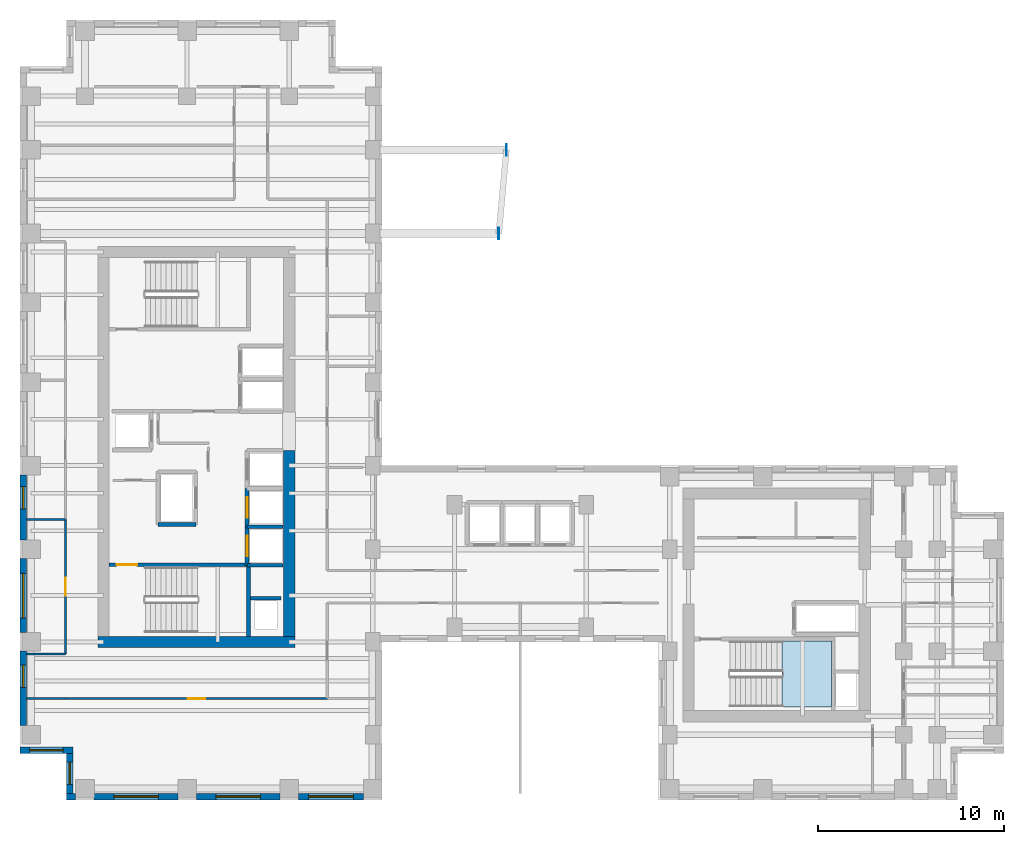
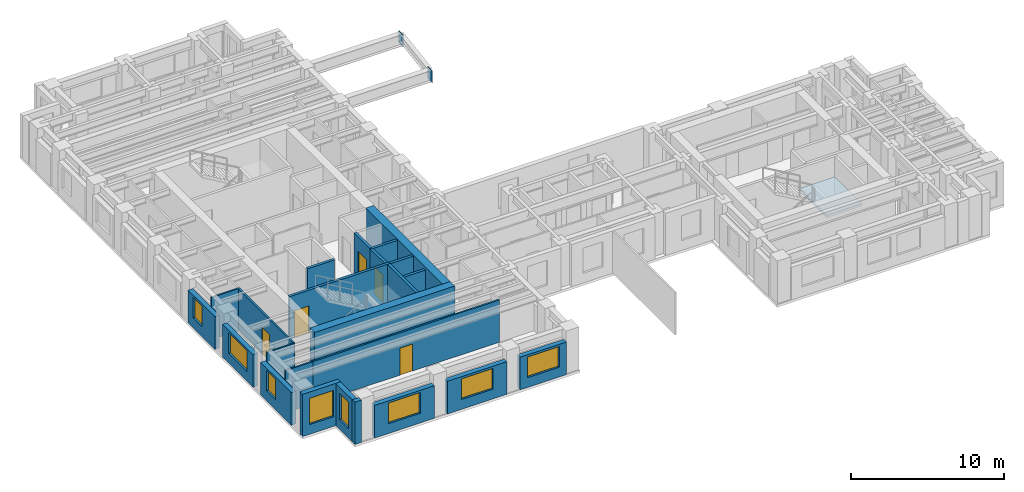
# One storey, part 5 of 13: 24 walls, 8 windows, 5 doors, 2 plates, 1 slab, 13 openings, 1 element without a shape of its own.
"""IFC4 building model written with IfcOpenShell, lengths in metres."""

from ifc_helpers import new_model, si_unit, direction, frame, frame_2d, origin, origin_2d, place, context, subcontext, project, spatial, polyline, rectangle, outline, extrude, source, transform, mapped, material, layer, layer_set, type_object, element, fill, aggregate, save


model = new_model("IFC4")

# Units and contexts
model_context = context("Model", 3, precision=1e-05, world=origin(), true_north=direction((0.0, 1.0)))
body_context = subcontext(model_context, "Body", "Model", "MODEL_VIEW")
ifc_project = project(units=[si_unit("LENGTHUNIT", "METRE"), si_unit("AREAUNIT", "SQUARE_METRE"), si_unit("VOLUMEUNIT", "CUBIC_METRE"), si_unit("PLANEANGLEUNIT", "RADIAN"), si_unit("MASSUNIT", "GRAM", prefix="KILO")], contexts=[model_context])

# Site, building, storey
site_placement = place(None, origin())
site = spatial("IfcSite", under=ifc_project, at=site_placement, CompositionType="ELEMENT")
building_placement = place(site_placement, origin())
building = spatial("IfcBuilding", under=site, at=building_placement, Name="Kharzan Plaza Tower", CompositionType="ELEMENT")
storey_placement = place(building_placement, frame((0.0, 0.0, 197.10009765625)))
storey = spatial("IfcBuildingStorey", under=building, at=storey_placement, Name="L53", CompositionType="ELEMENT", Elevation=197.10009765625)

# Stair, slab
ifc_material_1 = material(Name="Concrete C40/50", Category="concrete")
stair_type = type_object("IfcStairType", Name="STR-ST-3", PredefinedType="HALF_TURN_STAIR", material=ifc_material_1)
stair_placement = place(storey_placement, origin())
stair = element("IfcStair", 1, at=stair_placement, inside=storey, type_object=stair_type, Name="L53 Protected Exit Stair ST-3", PredefinedType="HALF_TURN_STAIR")
ifc_layer_1 = layer(ifc_material_1, 0.219970703125)
ifc_layer_set_1 = layer_set([ifc_layer_1], Name="Concrete C40/50")
slab_type = type_object("IfcSlabType", Name="SL-LANDING-220", PredefinedType="LANDING", material=ifc_layer_set_1)
slab_placement = place(storey_placement, frame((0.0, 0.0, 1.599853515625)))
slab = element("IfcSlab", 2, at=slab_placement, type_object=slab_type, Name="ST-3 landing 1", PredefinedType="LANDING", context=body_context, shape_type="SweptSolid", body=[
    extrude(outline(polyline([(41.050048828125, 5.0), (43.699951171875, 5.0), (43.699951171875, 8.550048828125), (41.050048828125, 8.550048828125), (41.050048828125, 5.0)])), origin(), (0.0, 0.0, 1.0), 0.199951171875),
])
aggregate(stair, [slab])

# Plates
ifc_material_2 = material(Name="Steel S460", Category="steel")
ifc_layer_2 = layer(ifc_material_2, 0.0419921875)
ifc_layer_set_2 = layer_set([ifc_layer_2], Name="Steel S460")
plate_type = type_object("IfcPlateType", Name="PLT-ZTN1", PredefinedType="USERDEFINED", material=ifc_layer_set_2)
shared_shape_1 = source(origin(), body_context, "Body", "SweptSolid", [
    extrude(rectangle(XDim=0.60009765625, YDim=0.0419921875, at=origin_2d()), origin(), (0.0, 0.0, 1.0), 0.949951171875),
])
for number, where, z_axis, x_axis, name in (
    (3, (25.7900390625, 30.5, 2.44140625), (0.0, 0.0, 1.0), (0.0, 1.0, 0.0), "L53 Sky-Terrace Cantilever Tip Plate ZTN1"),
    (4, (26.199951171875, 35.0, 2.44140625), (0.0, 0.0, 1.0), (0.0, 1.0, 0.0), "L53 Sky-Terrace Cantilever Tip Plate ZTN1"),
):
    element("IfcPlate", number, at=place(storey_placement, frame(where, z_axis=z_axis, x_axis=x_axis)), inside=storey, type_object=plate_type, Name=name, ObjectType="FLANGE_PLATE", PredefinedType="USERDEFINED", context=body_context, shape_type="MappedRepresentation", body=[
        mapped(shared_shape_1, transform((0.0, 0.0, 0.0), x_axis=(1.0, 0.0, 0.0), y_axis=(0.0, 1.0, 0.0), z_axis=(0.0, 0.0, 1.0))),
    ])

# Wall, opening, window
ifc_layer_3 = layer(ifc_material_1, 0.35009765625)
ifc_layer_set_3 = layer_set([ifc_layer_3], Name="Concrete C40/50")
wall_type_1 = type_object("IfcWallType", Name="WL-EXT-MAS-Z3", PredefinedType="SOLIDWALL", material=ifc_layer_set_3)
wall_1_placement = place(storey_placement, frame((0.175048828125, 17.501953125, 0.0), z_axis=(0.0, 0.0, 1.0), x_axis=(0.0, -1.0, 0.0)))
wall_1 = element("IfcWall", 5, at=wall_1_placement, inside=storey, type_object=wall_type_1, Name="L53 Masonry-Frame Exterior Wall 15", PredefinedType="SOLIDWALL", context=body_context, shape_type="SweptSolid", body=[
    extrude(rectangle(XDim=3.50390625, YDim=0.35009765625, at=frame_2d((1.751953125, 0.0))), origin(), (0.0, 0.0, 1.0), 2.61181640625),
])
opening_1_placement = place(wall_1_placement, frame((0.635986328125, 0.0, 0.780029296875)))
opening_1 = element("IfcOpeningElement", 6, at=opening_1_placement, cuts=wall_1, Name="Opening W3", PredefinedType="OPENING", context=body_context, shape_type="SweptSolid", body=[
    extrude(rectangle(XDim=1.199951171875, YDim=1.652099609375, at=frame_2d((0.60009765625, 0.826171875))), frame((0.0, 0.18505859375, 0.0), z_axis=(0.0, -1.0, 0.0), x_axis=(1.0, 0.0, 0.0)), (0.0, 0.0, 1.0), 0.3701171875),
])
ifc_material_3 = material(Name="Low-E Double Glazing", Category="glass")
window_type_1 = type_object("IfcWindowType", Name="WN-REC-1200x2100", PartitioningType="SINGLE_PANEL", PredefinedType="WINDOW", material=ifc_material_3)
shared_shape_2 = source(origin(), body_context, "Body", "SweptSolid", [
    extrude(rectangle(XDim=1.199951171875, YDim=1.652099609375, at=frame_2d((0.60009765625, 0.826171875))), frame((0.0, 0.030029296875, 0.0), z_axis=(0.0, -1.0, 0.0), x_axis=(1.0, 0.0, 0.0)), (0.0, 0.0, 1.0), 0.06005859375),
])
window_1_placement = place(opening_1_placement, origin())
window_1 = element("IfcWindow", 7, at=window_1_placement, inside=storey, type_object=window_type_1, Name="L53 Recessed Solar-Control Window 15-1", OverallHeight=1.652099609375, OverallWidth=1.199951171875, PartitioningType="SINGLE_PANEL", PredefinedType="WINDOW", context=body_context, shape_type="MappedRepresentation", body=[
    mapped(shared_shape_2, transform((0.0, 0.0, 0.0), x_axis=(1.0, 0.0, 0.0), y_axis=(0.0, 1.0, 0.0), z_axis=(0.0, 0.0, 1.0))),
])
fill(opening_1, window_1)

wall_2_placement = place(storey_placement, frame((0.175048828125, 13.001953125, 0.0), z_axis=(0.0, 0.0, 1.0), x_axis=(0.0, -1.0, 0.0)))
wall_2 = element("IfcWall", 8, at=wall_2_placement, inside=storey, type_object=wall_type_1, Name="L53 Masonry-Frame Exterior Wall 16", PredefinedType="SOLIDWALL", context=body_context, shape_type="SweptSolid", body=[
    extrude(rectangle(XDim=4.00390625, YDim=0.35009765625, at=frame_2d((2.001953125, 0.0))), origin(), (0.0, 0.0, 1.0), 2.61181640625),
])
opening_2_placement = place(wall_2_placement, frame((0.802001953125, 0.0, 0.780029296875)))
opening_2 = element("IfcOpeningElement", 9, at=opening_2_placement, cuts=wall_2, Name="Opening W2", PredefinedType="OPENING", context=body_context, shape_type="SweptSolid", body=[
    extrude(rectangle(XDim=2.39990234375, YDim=1.652099609375, at=frame_2d((1.199951171875, 0.826171875))), frame((0.0, 0.18505859375, 0.0), z_axis=(0.0, -1.0, 0.0), x_axis=(1.0, 0.0, 0.0)), (0.0, 0.0, 1.0), 0.3701171875),
])
window_type_2 = type_object("IfcWindowType", Name="WN-REC-2400x2100", PartitioningType="SINGLE_PANEL", PredefinedType="WINDOW", material=ifc_material_3)
shared_shape_3 = source(origin(), body_context, "Body", "SweptSolid", [
    extrude(rectangle(XDim=2.39990234375, YDim=1.652099609375, at=frame_2d((1.199951171875, 0.826171875))), frame((0.0, 0.030029296875, 0.0), z_axis=(0.0, -1.0, 0.0), x_axis=(1.0, 0.0, 0.0)), (0.0, 0.0, 1.0), 0.06005859375),
])
window_2_placement = place(opening_2_placement, origin())
window_2 = element("IfcWindow", 10, at=window_2_placement, inside=storey, type_object=window_type_2, Name="L53 Wide Recessed Solar-Control Window 16-1", OverallHeight=1.652099609375, OverallWidth=2.39990234375, PartitioningType="SINGLE_PANEL", PredefinedType="WINDOW", context=body_context, shape_type="MappedRepresentation", body=[
    mapped(shared_shape_3, transform((0.0, 0.0, 0.0), x_axis=(1.0, 0.0, 0.0), y_axis=(0.0, 1.0, 0.0), z_axis=(0.0, 0.0, 1.0))),
])
fill(opening_2, window_2)

wall_3_placement = place(storey_placement, frame((0.175048828125, 8.001953125, 0.0), z_axis=(0.0, 0.0, 1.0), x_axis=(0.0, -1.0, 0.0)))
wall_3 = element("IfcWall", 11, at=wall_3_placement, inside=storey, type_object=wall_type_1, Name="L53 Masonry-Frame Exterior Wall 17", PredefinedType="SOLIDWALL", context=body_context, shape_type="SweptSolid", body=[
    extrude(rectangle(XDim=4.00390625, YDim=0.35009765625, at=frame_2d((2.001953125, 0.0))), origin(), (0.0, 0.0, 1.0), 2.61181640625),
])
opening_3_placement = place(wall_3_placement, frame((0.751953125, 0.0, 0.780029296875)))
opening_3 = element("IfcOpeningElement", 12, at=opening_3_placement, cuts=wall_3, Name="Opening W3", PredefinedType="OPENING", context=body_context, shape_type="SweptSolid", body=[
    extrude(rectangle(XDim=1.199951171875, YDim=1.652099609375, at=frame_2d((0.60009765625, 0.826171875))), frame((0.0, 0.18505859375, 0.0), z_axis=(0.0, -1.0, 0.0), x_axis=(1.0, 0.0, 0.0)), (0.0, 0.0, 1.0), 0.3701171875),
])
window_3_placement = place(opening_3_placement, origin())
window_3 = element("IfcWindow", 13, at=window_3_placement, inside=storey, type_object=window_type_1, Name="L53 Recessed Solar-Control Window 17-1", OverallHeight=1.652099609375, OverallWidth=1.199951171875, PartitioningType="SINGLE_PANEL", PredefinedType="WINDOW", context=body_context, shape_type="MappedRepresentation", body=[
    mapped(shared_shape_2, transform((0.0, 0.0, 0.0), x_axis=(1.0, 0.0, 0.0), y_axis=(0.0, 1.0, 0.0), z_axis=(0.0, 0.0, 1.0))),
])
fill(opening_3, window_3)

wall_4_placement = place(storey_placement, frame((0.0, 2.675048828125, 0.0), z_axis=(0.0, 0.0, 1.0), x_axis=(1.0, 0.0, 0.0)))
wall_4 = element("IfcWall", 14, at=wall_4_placement, inside=storey, type_object=wall_type_1, Name="L53 Masonry-Frame Exterior Wall 18", PredefinedType="SOLIDWALL", context=body_context, shape_type="SweptSolid", body=[
    extrude(rectangle(XDim=2.85009765625, YDim=0.35009765625, at=frame_2d((1.425048828125, 0.0))), origin(), (0.0, 0.0, 1.0), 3.385009765625),
])
opening_4_placement = place(wall_4_placement, frame((0.52490234375, 0.0, 0.780029296875)))
opening_4 = element("IfcOpeningElement", 15, at=opening_4_placement, cuts=wall_4, Name="Opening W1", PredefinedType="OPENING", context=body_context, shape_type="SweptSolid", body=[
    extrude(rectangle(XDim=1.800048828125, YDim=2.10009765625, at=frame_2d((0.89990234375, 1.050048828125))), frame((0.0, 0.18505859375, 0.0), z_axis=(0.0, -1.0, 0.0), x_axis=(1.0, 0.0, 0.0)), (0.0, 0.0, 1.0), 0.3701171875),
])
window_type_3 = type_object("IfcWindowType", Name="WN-REC-1800x2100", PartitioningType="SINGLE_PANEL", PredefinedType="WINDOW", material=ifc_material_3)
shared_shape_4 = source(origin(), body_context, "Body", "SweptSolid", [
    extrude(rectangle(XDim=1.800048828125, YDim=2.10009765625, at=frame_2d((0.89990234375, 1.050048828125))), frame((0.0, 0.030029296875, 0.0), z_axis=(0.0, -1.0, 0.0), x_axis=(1.0, 0.0, 0.0)), (0.0, 0.0, 1.0), 0.06005859375),
])
window_4_placement = place(opening_4_placement, origin())
window_4 = element("IfcWindow", 16, at=window_4_placement, inside=storey, type_object=window_type_3, Name="L53 Recessed Solar-Control Window 18-1", OverallHeight=2.10009765625, OverallWidth=1.800048828125, PartitioningType="SINGLE_PANEL", PredefinedType="WINDOW", context=body_context, shape_type="MappedRepresentation", body=[
    mapped(shared_shape_4, transform((0.0, 0.0, 0.0), x_axis=(1.0, 0.0, 0.0), y_axis=(0.0, 1.0, 0.0), z_axis=(0.0, 0.0, 1.0))),
])
fill(opening_4, window_4)

wall_5_placement = place(storey_placement, frame((2.675048828125, 2.501953125, 0.0), z_axis=(0.0, 0.0, 1.0), x_axis=(0.0, -1.0, 0.0)))
wall_5 = element("IfcWall", 17, at=wall_5_placement, inside=storey, type_object=wall_type_1, Name="L53 Masonry-Frame Exterior Wall 19", PredefinedType="SOLIDWALL", context=body_context, shape_type="SweptSolid", body=[
    extrude(rectangle(XDim=2.154052734375, YDim=0.35009765625, at=frame_2d((1.0771484375, 0.0))), origin(), (0.0, 0.0, 1.0), 3.385009765625),
])
opening_5_placement = place(wall_5_placement, frame((0.47705078125, 0.0, 0.780029296875)))
opening_5 = element("IfcOpeningElement", 18, at=opening_5_placement, cuts=wall_5, Name="Opening W3", PredefinedType="OPENING", context=body_context, shape_type="SweptSolid", body=[
    extrude(rectangle(XDim=1.199951171875, YDim=2.10009765625, at=frame_2d((0.60009765625, 1.050048828125))), frame((0.0, 0.18505859375, 0.0), z_axis=(0.0, -1.0, 0.0), x_axis=(1.0, 0.0, 0.0)), (0.0, 0.0, 1.0), 0.3701171875),
])
shared_shape_5 = source(origin(), body_context, "Body", "SweptSolid", [
    extrude(rectangle(XDim=1.199951171875, YDim=2.10009765625, at=frame_2d((0.60009765625, 1.050048828125))), frame((0.0, 0.030029296875, 0.0), z_axis=(0.0, -1.0, 0.0), x_axis=(1.0, 0.0, 0.0)), (0.0, 0.0, 1.0), 0.06005859375),
])
window_5_placement = place(opening_5_placement, origin())
window_5 = element("IfcWindow", 19, at=window_5_placement, inside=storey, type_object=window_type_1, Name="L53 Recessed Solar-Control Window 19-1", OverallHeight=2.10009765625, OverallWidth=1.199951171875, PartitioningType="SINGLE_PANEL", PredefinedType="WINDOW", context=body_context, shape_type="MappedRepresentation", body=[
    mapped(shared_shape_5, transform((0.0, 0.0, 0.0), x_axis=(1.0, 0.0, 0.0), y_axis=(0.0, 1.0, 0.0), z_axis=(0.0, 0.0, 1.0))),
])
fill(opening_5, window_5)

wall_6_placement = place(storey_placement, frame((3.998046875, 0.175048828125, 0.0), z_axis=(0.0, 0.0, 1.0), x_axis=(1.0, 0.0, 0.0)))
wall_6 = element("IfcWall", 20, at=wall_6_placement, inside=storey, type_object=wall_type_1, Name="L53 Masonry-Frame Exterior Wall 21", PredefinedType="SOLIDWALL", context=body_context, shape_type="SweptSolid", body=[
    extrude(rectangle(XDim=4.50390625, YDim=0.35009765625, at=frame_2d((2.251953125, 0.0))), origin(), (0.0, 0.0, 1.0), 2.61181640625),
])
opening_6_placement = place(wall_6_placement, frame((1.052001953125, 0.0, 0.780029296875)))
opening_6 = element("IfcOpeningElement", 21, at=opening_6_placement, cuts=wall_6, Name="Opening W2", PredefinedType="OPENING", context=body_context, shape_type="SweptSolid", body=[
    extrude(rectangle(XDim=2.39990234375, YDim=1.652099609375, at=frame_2d((1.199951171875, 0.826171875))), frame((0.0, 0.18505859375, 0.0), z_axis=(0.0, -1.0, 0.0), x_axis=(1.0, 0.0, 0.0)), (0.0, 0.0, 1.0), 0.3701171875),
])
window_6_placement = place(opening_6_placement, origin())
window_6 = element("IfcWindow", 22, at=window_6_placement, inside=storey, type_object=window_type_2, Name="L53 Wide Recessed Solar-Control Window 21-1", OverallHeight=1.652099609375, OverallWidth=2.39990234375, PartitioningType="SINGLE_PANEL", PredefinedType="WINDOW", context=body_context, shape_type="MappedRepresentation", body=[
    mapped(shared_shape_3, transform((0.0, 0.0, 0.0), x_axis=(1.0, 0.0, 0.0), y_axis=(0.0, 1.0, 0.0), z_axis=(0.0, 0.0, 1.0))),
])
fill(opening_6, window_6)

wall_7_placement = place(storey_placement, frame((9.498046875, 0.175048828125, 0.0), z_axis=(0.0, 0.0, 1.0), x_axis=(1.0, 0.0, 0.0)))
wall_7 = element("IfcWall", 23, at=wall_7_placement, inside=storey, type_object=wall_type_1, Name="L53 Masonry-Frame Exterior Wall 22", PredefinedType="SOLIDWALL", context=body_context, shape_type="SweptSolid", body=[
    extrude(rectangle(XDim=4.50390625, YDim=0.35009765625, at=frame_2d((2.251953125, 0.0))), origin(), (0.0, 0.0, 1.0), 2.61181640625),
])
opening_7_placement = place(wall_7_placement, frame((1.052001953125, 0.0, 0.780029296875)))
opening_7 = element("IfcOpeningElement", 24, at=opening_7_placement, cuts=wall_7, Name="Opening W2", PredefinedType="OPENING", context=body_context, shape_type="SweptSolid", body=[
    extrude(rectangle(XDim=2.39990234375, YDim=1.652099609375, at=frame_2d((1.199951171875, 0.826171875))), frame((0.0, 0.18505859375, 0.0), z_axis=(0.0, -1.0, 0.0), x_axis=(1.0, 0.0, 0.0)), (0.0, 0.0, 1.0), 0.3701171875),
])
window_7_placement = place(opening_7_placement, origin())
window_7 = element("IfcWindow", 25, at=window_7_placement, inside=storey, type_object=window_type_2, Name="L53 Wide Recessed Solar-Control Window 22-1", OverallHeight=1.652099609375, OverallWidth=2.39990234375, PartitioningType="SINGLE_PANEL", PredefinedType="WINDOW", context=body_context, shape_type="MappedRepresentation", body=[
    mapped(shared_shape_3, transform((0.0, 0.0, 0.0), x_axis=(1.0, 0.0, 0.0), y_axis=(0.0, 1.0, 0.0), z_axis=(0.0, 0.0, 1.0))),
])
fill(opening_7, window_7)

wall_8_placement = place(storey_placement, frame((14.998046875, 0.175048828125, 0.0), z_axis=(0.0, 0.0, 1.0), x_axis=(1.0, 0.0, 0.0)))
wall_8 = element("IfcWall", 26, at=wall_8_placement, inside=storey, type_object=wall_type_1, Name="L53 Masonry-Frame Exterior Wall 23", PredefinedType="SOLIDWALL", context=body_context, shape_type="SweptSolid", body=[
    extrude(rectangle(XDim=3.50390625, YDim=0.35009765625, at=frame_2d((1.751953125, 0.0))), origin(), (0.0, 0.0, 1.0), 2.61181640625),
])
opening_8_placement = place(wall_8_placement, frame((0.552001953125, 0.0, 0.780029296875)))
opening_8 = element("IfcOpeningElement", 27, at=opening_8_placement, cuts=wall_8, Name="Opening W2", PredefinedType="OPENING", context=body_context, shape_type="SweptSolid", body=[
    extrude(rectangle(XDim=2.39990234375, YDim=1.652099609375, at=frame_2d((1.199951171875, 0.826171875))), frame((0.0, 0.18505859375, 0.0), z_axis=(0.0, -1.0, 0.0), x_axis=(1.0, 0.0, 0.0)), (0.0, 0.0, 1.0), 0.3701171875),
])
window_8_placement = place(opening_8_placement, origin())
window_8 = element("IfcWindow", 28, at=window_8_placement, inside=storey, type_object=window_type_2, Name="L53 Wide Recessed Solar-Control Window 23-1", OverallHeight=1.652099609375, OverallWidth=2.39990234375, PartitioningType="SINGLE_PANEL", PredefinedType="WINDOW", context=body_context, shape_type="MappedRepresentation", body=[
    mapped(shared_shape_3, transform((0.0, 0.0, 0.0), x_axis=(1.0, 0.0, 0.0), y_axis=(0.0, 1.0, 0.0), z_axis=(0.0, 0.0, 1.0))),
])
fill(opening_8, window_8)

# Wall, opening, door
ifc_material_4 = material(Name="Fire-Rated Gypsum Board Partition", Category="gypsum")
ifc_layer_4 = layer(ifc_material_4, 0.125)
ifc_layer_set_4 = layer_set([ifc_layer_4], Name="Fire-Rated Gypsum Board Partition")
wall_type_2 = type_object("IfcWallType", Name="WL-INT-PART-125", PredefinedType="PARTITIONING", material=ifc_layer_set_4)
wall_9_placement = place(storey_placement, frame((2.449951171875, 5.449951171875, 0.0), z_axis=(0.0, 0.0, 1.0), x_axis=(1.0, 0.0, 0.0)))
wall_9 = element("IfcWall", 29, at=wall_9_placement, inside=storey, type_object=wall_type_2, Name="L53 Interior Partition SH-SS-1", PredefinedType="PARTITIONING", context=body_context, shape_type="SweptSolid", body=[
    extrude(rectangle(XDim=14.10009765625, YDim=0.125, at=frame_2d((7.050048828125, 0.0))), origin(), (0.0, 0.0, 1.0), 3.385009765625),
])
opening_9_placement = place(wall_9_placement, frame((6.574951171875, 0.0, 0.0)))
opening_9 = element("IfcOpeningElement", 30, at=opening_9_placement, cuts=wall_9, Name="Opening OD1", PredefinedType="OPENING", context=body_context, shape_type="SweptSolid", body=[
    extrude(rectangle(XDim=0.949951171875, YDim=2.14990234375, at=frame_2d((0.47509765625, 1.074951171875))), frame((0.0, 0.072509765625, 0.0), z_axis=(0.0, -1.0, 0.0), x_axis=(1.0, 0.0, 0.0)), (0.0, 0.0, 1.0), 0.14501953125),
])
ifc_material_5 = material(Name="Acoustic Solid-Core Stained Oak", Category="timber")
door_type_1 = type_object("IfcDoorType", Name="DR-OFF-SINGLE", OperationType="NOTDEFINED", PredefinedType="DOOR", material=ifc_material_5)
shared_shape_6 = source(origin(), body_context, "Body", "SweptSolid", [
    extrude(rectangle(XDim=0.949951171875, YDim=2.14990234375, at=frame_2d((0.47509765625, 1.074951171875))), frame((0.0, 0.02490234375, 0.0), z_axis=(0.0, -1.0, 0.0), x_axis=(1.0, 0.0, 0.0)), (0.0, 0.0, 1.0), 0.050048828125),
])
door_1_placement = place(opening_9_placement, origin())
door_1 = element("IfcDoor", 31, at=door_1_placement, inside=storey, type_object=door_type_1, Name="L53 Staff Tea Pantry Door", OperationType="SINGLE_SWING_LEFT", OverallHeight=2.14990234375, OverallWidth=0.949951171875, PredefinedType="DOOR", context=body_context, shape_type="MappedRepresentation", body=[
    mapped(shared_shape_6, transform((0.0, 0.0, 0.0), x_axis=(1.0, 0.0, 0.0), y_axis=(0.0, 1.0, 0.0), z_axis=(0.0, 0.0, 1.0))),
])
fill(opening_9, door_1)

wall_10_placement = place(storey_placement, frame((2.449951171875, 7.85009765625, 0.0), z_axis=(0.0, 0.0, 1.0), x_axis=(0.0, 1.0, 0.0)))
wall_10 = element("IfcWall", 32, at=wall_10_placement, inside=storey, type_object=wall_type_2, Name="L53 Interior Partition SH-WW-1", PredefinedType="PARTITIONING", context=body_context, shape_type="SweptSolid", body=[
    extrude(rectangle(XDim=7.25, YDim=0.125, at=frame_2d((3.625, 0.0))), origin(), (0.0, 0.0, 1.0), 3.385009765625),
])
opening_10_placement = place(wall_10_placement, frame((3.14990234375, 0.0, 0.0)))
opening_10 = element("IfcOpeningElement", 33, at=opening_10_placement, cuts=wall_10, Name="Opening OD1", PredefinedType="OPENING", context=body_context, shape_type="SweptSolid", body=[
    extrude(rectangle(XDim=0.949951171875, YDim=2.14990234375, at=frame_2d((0.47509765625, 1.074951171875))), frame((0.0, 0.072509765625, 0.0), z_axis=(0.0, -1.0, 0.0), x_axis=(1.0, 0.0, 0.0)), (0.0, 0.0, 1.0), 0.14501953125),
])
door_2_placement = place(opening_10_placement, origin())
door_2 = element("IfcDoor", 34, at=door_2_placement, inside=storey, type_object=door_type_1, Name="L53 Client Briefing Room Door", OperationType="SINGLE_SWING_RIGHT", OverallHeight=2.14990234375, OverallWidth=0.949951171875, PredefinedType="DOOR", context=body_context, shape_type="MappedRepresentation", body=[
    mapped(shared_shape_6, transform((0.0, 0.0, 0.0), x_axis=(1.0, 0.0, 0.0), y_axis=(0.0, 1.0, 0.0), z_axis=(0.0, 0.0, 1.0))),
])
fill(opening_10, door_2)

ifc_layer_5 = layer(ifc_material_1, 0.199951171875)
ifc_layer_set_5 = layer_set([ifc_layer_5], Name="Concrete C40/50")
wall_type_3 = type_object("IfcWallType", Name="WL-INT-SHAFT-200", PredefinedType="PARTITIONING", material=ifc_layer_set_5)
wall_11_placement = place(storey_placement, frame((12.22998046875, 12.6298828125, 0.0), z_axis=(0.0, 0.0, 1.0), x_axis=(0.0, 1.0, 0.0)))
wall_11 = element("IfcWall", 35, at=wall_11_placement, inside=storey, type_object=wall_type_3, Name="L53 Interior Partition SHF-PL-H1-W", PredefinedType="PARTITIONING", context=body_context, shape_type="SweptSolid", body=[
    extrude(rectangle(XDim=2.070068359375, YDim=0.199951171875, at=frame_2d((1.03515625, 0.0))), origin(), (0.0, 0.0, 1.0), 3.385009765625),
])
opening_11_placement = place(wall_11_placement, frame((0.485107421875, 0.0, 0.0)))
opening_11 = element("IfcOpeningElement", 36, at=opening_11_placement, cuts=wall_11, Name="Opening LD", PredefinedType="OPENING", context=body_context, shape_type="SweptSolid", body=[
    extrude(rectangle(XDim=1.10009765625, YDim=2.199951171875, at=frame_2d((0.550048828125, 1.10009765625))), frame((0.0, 0.10986328125, 0.0), z_axis=(0.0, -1.0, 0.0), x_axis=(1.0, 0.0, 0.0)), (0.0, 0.0, 1.0), 0.219970703125),
])
ifc_material_6 = material(Name="Brushed Stainless Steel", Category="steel")
door_type_2 = type_object("IfcDoorType", Name="DR-LIFT-SLIDE", OperationType="SLIDING_TO_LEFT", PredefinedType="DOOR", material=ifc_material_6)
shared_shape_7 = source(origin(), body_context, "Body", "SweptSolid", [
    extrude(rectangle(XDim=1.10009765625, YDim=2.199951171875, at=frame_2d((0.550048828125, 1.10009765625))), frame((0.0, 0.02490234375, 0.0), z_axis=(0.0, -1.0, 0.0), x_axis=(1.0, 0.0, 0.0)), (0.0, 0.0, 1.0), 0.050048828125),
])
door_3_placement = place(opening_11_placement, origin())
door_3 = element("IfcDoor", 37, at=door_3_placement, inside=storey, type_object=door_type_2, Name="L53 High-Rise Passenger Lift PL-H1 Sliding Landing Door", OperationType="SLIDING_TO_LEFT", OverallHeight=2.199951171875, OverallWidth=1.10009765625, PredefinedType="DOOR", context=body_context, shape_type="MappedRepresentation", body=[
    mapped(shared_shape_7, transform((0.0, 0.0, 0.0), x_axis=(1.0, 0.0, 0.0), y_axis=(0.0, 1.0, 0.0), z_axis=(0.0, 0.0, 1.0))),
])
fill(opening_11, door_3)

wall_12_placement = place(storey_placement, frame((12.22998046875, 14.699951171875, 0.0), z_axis=(0.0, 0.0, 1.0), x_axis=(0.0, 1.0, 0.0)))
wall_12 = element("IfcWall", 38, at=wall_12_placement, inside=storey, type_object=wall_type_3, Name="L53 Interior Partition SHF-PL-H2-W", PredefinedType="PARTITIONING", context=body_context, shape_type="SweptSolid", body=[
    extrude(rectangle(XDim=2.070068359375, YDim=0.199951171875, at=frame_2d((1.03515625, 0.0))), origin(), (0.0, 0.0, 1.0), 3.385009765625),
])
opening_12_placement = place(wall_12_placement, frame((0.485107421875, 0.0, 0.0)))
opening_12 = element("IfcOpeningElement", 39, at=opening_12_placement, cuts=wall_12, Name="Opening LD", PredefinedType="OPENING", context=body_context, shape_type="SweptSolid", body=[
    extrude(rectangle(XDim=1.10009765625, YDim=2.199951171875, at=frame_2d((0.550048828125, 1.10009765625))), frame((0.0, 0.10986328125, 0.0), z_axis=(0.0, -1.0, 0.0), x_axis=(1.0, 0.0, 0.0)), (0.0, 0.0, 1.0), 0.219970703125),
])
door_4_placement = place(opening_12_placement, origin())
door_4 = element("IfcDoor", 40, at=door_4_placement, inside=storey, type_object=door_type_2, Name="L53 High-Rise Passenger Lift PL-H2 Sliding Landing Door", OperationType="SLIDING_TO_LEFT", OverallHeight=2.199951171875, OverallWidth=1.10009765625, PredefinedType="DOOR", context=body_context, shape_type="MappedRepresentation", body=[
    mapped(shared_shape_7, transform((0.0, 0.0, 0.0), x_axis=(1.0, 0.0, 0.0), y_axis=(0.0, 1.0, 0.0), z_axis=(0.0, 0.0, 1.0))),
])
fill(opening_12, door_4)

ifc_material_7 = material(Name="Concrete C50/60", Category="concrete")
ifc_layer_6 = layer(ifc_material_7, 0.199951171875)
ifc_layer_set_6 = layer_set([ifc_layer_6], Name="Concrete C50/60")
wall_type_4 = type_object("IfcWallType", Name="WL-SHAFT-RC200", PredefinedType="SHEAR", material=ifc_layer_set_6)
wall_13_placement = place(storey_placement, frame((4.802001953125, 12.655029296875, 0.0), z_axis=(0.0, 0.0, 1.0), x_axis=(1.0, 0.0, 0.0)))
wall_13 = element("IfcWall", 41, at=wall_13_placement, inside=storey, type_object=wall_type_4, Name="L53 Stair ST-1 North RC Shaft Wall", PredefinedType="SHEAR", context=body_context, shape_type="SweptSolid", body=[
    extrude(rectangle(XDim=7.60302734375, YDim=0.199951171875, at=frame_2d((3.801513671875, 0.0))), origin(), (0.0, 0.0, 1.0), 3.39990234375),
])
opening_13_placement = place(wall_13_placement, frame((0.39990234375, 0.0, 0.0)))
opening_13 = element("IfcOpeningElement", 42, at=opening_13_placement, cuts=wall_13, Name="Opening SD1", PredefinedType="OPENING", context=body_context, shape_type="SweptSolid", body=[
    extrude(rectangle(XDim=1.10009765625, YDim=2.14990234375, at=frame_2d((0.550048828125, 1.074951171875))), frame((0.0, 0.10986328125, 0.0), z_axis=(0.0, -1.0, 0.0), x_axis=(1.0, 0.0, 0.0)), (0.0, 0.0, 1.0), 0.219970703125),
])
ifc_material_8 = material(Name="Fire-Rated Hollow Galvanized Steel", Category="steel")
door_type_3 = type_object("IfcDoorType", Name="DR-STAIR-FD120", OperationType="NOTDEFINED", PredefinedType="DOOR", material=ifc_material_8)
shared_shape_8 = source(origin(), body_context, "Body", "SweptSolid", [
    extrude(rectangle(XDim=1.10009765625, YDim=2.14990234375, at=frame_2d((0.550048828125, 1.074951171875))), frame((0.0, 0.02490234375, 0.0), z_axis=(0.0, -1.0, 0.0), x_axis=(1.0, 0.0, 0.0)), (0.0, 0.0, 1.0), 0.050048828125),
])
door_5_placement = place(opening_13_placement, origin())
door_5 = element("IfcDoor", 43, at=door_5_placement, inside=storey, type_object=door_type_3, Name="L53 Stair ST-1 Fire Exit Door", OperationType="SINGLE_SWING_LEFT", OverallHeight=2.14990234375, OverallWidth=1.10009765625, PredefinedType="DOOR", context=body_context, shape_type="MappedRepresentation", body=[
    mapped(shared_shape_8, transform((0.0, 0.0, 0.0), x_axis=(1.0, 0.0, 0.0), y_axis=(0.0, 1.0, 0.0), z_axis=(0.0, 0.0, 1.0))),
])
fill(opening_13, door_5)

# Walls
ifc_layer_7 = layer(ifc_material_7, 0.60009765625)
ifc_layer_set_7 = layer_set([ifc_layer_7], Name="Concrete C50/60")
wall_type_5 = type_object("IfcWallType", Name="WL-CORE-600", PredefinedType="SHEAR", material=ifc_layer_set_7)
shared_shape_9 = source(origin(), body_context, "Body", "SweptSolid", [
    extrude(rectangle(XDim=10.02001953125, YDim=0.60009765625, at=frame_2d((5.010009765625, 0.0))), origin(), (0.0, 0.0, 1.0), 3.39990234375),
])
wall_14_placement = place(storey_placement, frame((14.5, 8.800048828125, 0.0), z_axis=(0.0, 0.0, 1.0), x_axis=(0.0, 1.0, 0.0)))
element("IfcWall", 44, at=wall_14_placement, inside=storey, type_object=wall_type_5, Name="L53 CORE-A east shear pier 1", PredefinedType="SHEAR", context=body_context, shape_type="MappedRepresentation", body=[
    mapped(shared_shape_9, transform((0.0, 0.0, 0.0), x_axis=(1.0, 0.0, 0.0), y_axis=(0.0, 1.0, 0.0), z_axis=(0.0, 0.0, 1.0))),
])
shared_shape_10 = source(origin(), body_context, "Body", "SweptSolid", [
    extrude(rectangle(XDim=10.60009765625, YDim=0.60009765625, at=frame_2d((5.300048828125, 0.0))), origin(), (0.0, 0.0, 1.0), 3.39990234375),
])
wall_15_placement = place(storey_placement, frame((4.199951171875, 8.5, 0.0), z_axis=(0.0, 0.0, 1.0), x_axis=(1.0, 0.0, 0.0)))
element("IfcWall", 45, at=wall_15_placement, inside=storey, type_object=wall_type_5, Name="L53 CORE-A south RC shear wall", PredefinedType="SHEAR", context=body_context, shape_type="MappedRepresentation", body=[
    mapped(shared_shape_10, transform((0.0, 0.0, 0.0), x_axis=(1.0, 0.0, 0.0), y_axis=(0.0, 1.0, 0.0), z_axis=(0.0, 0.0, 1.0))),
])
shared_shape_11 = source(origin(), body_context, "Body", "SweptSolid", [
    extrude(rectangle(XDim=0.501953125, YDim=0.35009765625, at=frame_2d((0.2509765625, 0.0))), origin(), (0.0, 0.0, 1.0), 3.385009765625),
])
wall_16_placement = place(storey_placement, frame((2.5, 0.175048828125, 0.0), z_axis=(0.0, 0.0, 1.0), x_axis=(1.0, 0.0, 0.0)))
element("IfcWall", 46, at=wall_16_placement, inside=storey, type_object=wall_type_1, Name="L53 Masonry-Frame Exterior Wall 20", PredefinedType="SOLIDWALL", context=body_context, shape_type="MappedRepresentation", body=[
    mapped(shared_shape_11, transform((0.0, 0.0, 0.0), x_axis=(1.0, 0.0, 0.0), y_axis=(0.0, 1.0, 0.0), z_axis=(0.0, 0.0, 1.0))),
])
shared_shape_12 = source(origin(), body_context, "Body", "SweptSolid", [
    extrude(rectangle(XDim=2.097900390625, YDim=0.125, at=frame_2d((1.048828125, 0.0))), origin(), (0.0, 0.0, 1.0), 3.385009765625),
])
for number, where, z_axis, x_axis, name in (
    (47, (0.35205078125, 7.85009765625, 0.0), (0.0, 0.0, 1.0), (1.0, 0.0, 0.0), "L53 Interior Partition SH-RWS0"),
    (48, (0.35205078125, 5.449951171875, 0.0), (0.0, 0.0, 1.0), (1.0, 0.0, 0.0), "L53 Interior Partition SH-SS-EXT"),
    (49, (0.35205078125, 15.10009765625, 0.0), (0.0, 0.0, 1.0), (1.0, 0.0, 0.0), "L53 Interior Partition SH-WH-1"),
):
    element("IfcWall", number, at=place(storey_placement, frame(where, z_axis=z_axis, x_axis=x_axis)), inside=storey, type_object=wall_type_2, Name=name, PredefinedType="PARTITIONING", context=body_context, shape_type="MappedRepresentation", body=[
        mapped(shared_shape_12, transform((0.0, 0.0, 0.0), x_axis=(1.0, 0.0, 0.0), y_axis=(0.0, 1.0, 0.0), z_axis=(0.0, 0.0, 1.0))),
    ])
shared_shape_13 = source(origin(), body_context, "Body", "SweptSolid", [
    extrude(rectangle(XDim=1.630126953125, YDim=0.199951171875, at=frame_2d((0.81494140625, 0.0))), origin(), (0.0, 0.0, 1.0), 3.385009765625),
])
wall_17_placement = place(storey_placement, frame((12.419921875, 10.85009765625, 0.0), z_axis=(0.0, 0.0, 1.0), x_axis=(1.0, 0.0, 0.0)))
element("IfcWall", 50, at=wall_17_placement, inside=storey, type_object=wall_type_3, Name="L53 Interior Partition CA-RSRA-N", PredefinedType="PARTITIONING", context=body_context, shape_type="MappedRepresentation", body=[
    mapped(shared_shape_13, transform((0.0, 0.0, 0.0), x_axis=(1.0, 0.0, 0.0), y_axis=(0.0, 1.0, 0.0), z_axis=(0.0, 0.0, 1.0))),
])
shared_shape_14 = source(origin(), body_context, "Body", "SweptSolid", [
    extrude(rectangle(XDim=1.93994140625, YDim=0.199951171875, at=frame_2d((0.969970703125, 0.0))), origin(), (0.0, 0.0, 1.0), 3.385009765625),
])
for number, where, z_axis, x_axis, name in (
    (51, (12.22998046875, 14.699951171875, 0.0), (0.0, 0.0, 1.0), (1.0, 0.0, 0.0), "L53 Interior Partition SHF-PL-H1-N"),
    (52, (12.22998046875, 12.6298828125, 0.0), (0.0, 0.0, 1.0), (1.0, 0.0, 0.0), "L53 Interior Partition SHF-PL-H1-S"),
):
    element("IfcWall", number, at=place(storey_placement, frame(where, z_axis=z_axis, x_axis=x_axis)), inside=storey, type_object=wall_type_3, Name=name, PredefinedType="PARTITIONING", context=body_context, shape_type="MappedRepresentation", body=[
        mapped(shared_shape_14, transform((0.0, 0.0, 0.0), x_axis=(1.0, 0.0, 0.0), y_axis=(0.0, 1.0, 0.0), z_axis=(0.0, 0.0, 1.0))),
    ])
shared_shape_15 = source(origin(), body_context, "Body", "SweptSolid", [
    extrude(rectangle(XDim=2.0400390625, YDim=0.199951171875, at=frame_2d((1.02001953125, 0.0))), origin(), (0.0, 0.0, 1.0), 3.385009765625),
])
wall_18_placement = place(storey_placement, frame((7.429931640625, 14.830078125, 0.0), z_axis=(0.0, 0.0, 1.0), x_axis=(1.0, 0.0, 0.0)))
element("IfcWall", 53, at=wall_18_placement, inside=storey, type_object=wall_type_3, Name="L53 Interior Partition SHF-SVL-1-S", PredefinedType="PARTITIONING", context=body_context, shape_type="MappedRepresentation", body=[
    mapped(shared_shape_15, transform((0.0, 0.0, 0.0), x_axis=(1.0, 0.0, 0.0), y_axis=(0.0, 1.0, 0.0), z_axis=(0.0, 0.0, 1.0))),
])
shared_shape_16 = source(origin(), body_context, "Body", "SweptSolid", [
    extrude(rectangle(XDim=3.7529296875, YDim=0.199951171875, at=frame_2d((1.87646484375, 0.0))), origin(), (0.0, 0.0, 1.0), 3.39990234375),
])
wall_19_placement = place(storey_placement, frame((12.304931640625, 8.802001953125, 0.0), z_axis=(0.0, 0.0, 1.0), x_axis=(0.0, 1.0, 0.0)))
element("IfcWall", 54, at=wall_19_placement, inside=storey, type_object=wall_type_4, Name="L53 Stair ST-1 East RC Shaft Wall", PredefinedType="SHEAR", context=body_context, shape_type="MappedRepresentation", body=[
    mapped(shared_shape_16, transform((0.0, 0.0, 0.0), x_axis=(1.0, 0.0, 0.0), y_axis=(0.0, 1.0, 0.0), z_axis=(0.0, 0.0, 1.0))),
])

save(model, "model.ifc")
